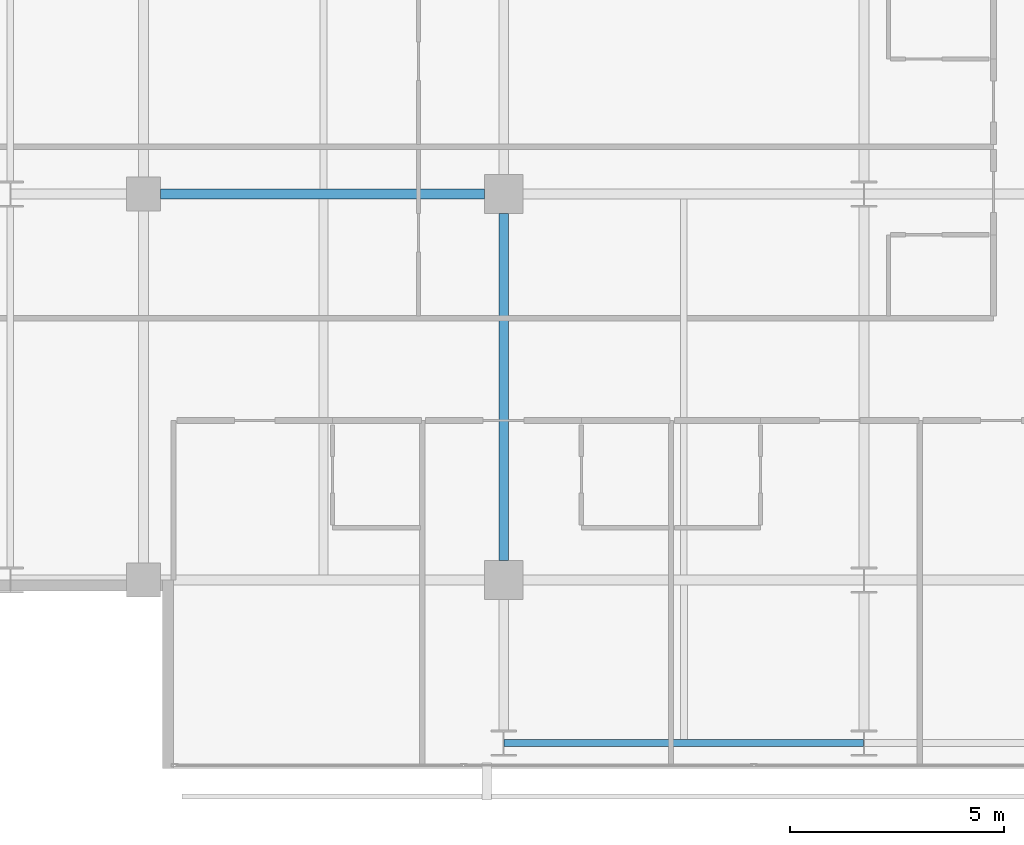
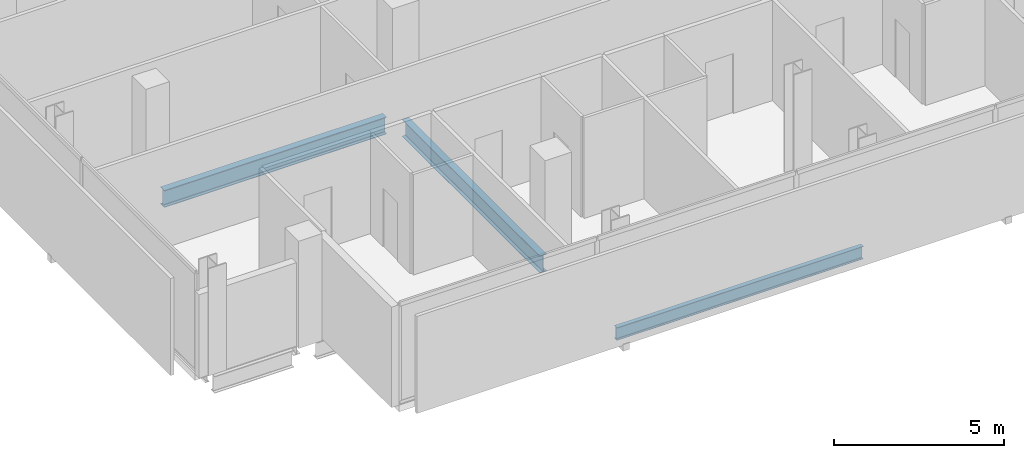
# One storey, part 5 of 34: 3 beams.
"""IFC4 building model written with IfcOpenShell, lengths in metres."""

from ifc_helpers import new_model, si_unit, direction, frame, origin, origin_2d, place, context, subcontext, project, spatial, i_section, extrude, material, material_profile, profile_set, type_object, element, save


model = new_model("IFC4")

# Units and contexts
model_context = context("Model", 3, precision=1e-05, world=origin(), true_north=direction((0.0, 1.0)))
body_context = subcontext(model_context, "Body", "Model", "MODEL_VIEW")
ifc_project = project(units=[si_unit("LENGTHUNIT", "METRE"), si_unit("AREAUNIT", "SQUARE_METRE"), si_unit("VOLUMEUNIT", "CUBIC_METRE"), si_unit("PLANEANGLEUNIT", "RADIAN"), si_unit("MASSUNIT", "GRAM", prefix="KILO")], contexts=[model_context])

# Site, building, storey
site_placement = place(None, origin())
site = spatial("IfcSite", under=ifc_project, at=site_placement, CompositionType="ELEMENT")
building_placement = place(site_placement, origin())
building = spatial("IfcBuilding", under=site, at=building_placement, Name="Maruvema Waterfront Hotel and Observation Tower", CompositionType="ELEMENT")
storey_placement = place(building_placement, frame((0.0, 0.0, 127.39990234375)))
storey = spatial("IfcBuildingStorey", under=building, at=storey_placement, Name="L30", CompositionType="ELEMENT", Elevation=127.39990234375)

# Beams
ifc_material_1 = material(Name="Steel ASTM A572 Grade 50", Category="steel")
ifc_material_profile_1 = material_profile(ifc_material_1, i_section(OverallWidth=0.153076171875, OverallDepth=0.455078125, WebThickness=0.008056640625, FlangeThickness=0.01318359375, FilletRadius=0.014892578125, at=origin_2d()), Name="W460x60.0")
ifc_profile_set_1 = profile_set([ifc_material_profile_1], Name="Steel ASTM A572 Grade 50")
beam_type_1 = type_object("IfcBeamType", Name="Perimeter Spandrel Beam W460x60.0", PredefinedType="SPANDREL", material=ifc_profile_set_1)
beam_1_placement = place(storey_placement, frame((25.21240234375, 5.199951171875, -0.46728515625), z_axis=(1.0, 0.0, 0.0), x_axis=(0.0, 1.0, 0.0)))
element("IfcBeam", 1, at=beam_1_placement, inside=storey, type_object=beam_type_1, Name="L30 Floor Girder EW-01", PredefinedType="SPANDREL", context=body_context, shape_type="SweptSolid", body=[
    extrude(i_section(OverallWidth=0.153076171875, OverallDepth=0.455078125, WebThickness=0.008056640625, FlangeThickness=0.01318359375, FilletRadius=0.014892578125, at=origin_2d()), origin(), (0.0, 0.0, 1.0), 8.375),
])
ifc_material_2 = material(Name="Steel ASTM A572 Grade 50", Category="steel")
ifc_material_profile_2 = material_profile(ifc_material_2, i_section(OverallWidth=0.22900390625, OverallDepth=0.612060546875, WebThickness=0.011962890625, FlangeThickness=0.01953125, FilletRadius=0.01806640625, at=origin_2d()), Name="W610x125.0")
ifc_profile_set_2 = profile_set([ifc_material_profile_2], Name="Steel ASTM A572 Grade 50")
beam_type_2 = type_object("IfcBeamType", Name="Primary Floor Girder W610x125.0", PredefinedType="BEAM", material=ifc_profile_set_2)
beam_2_placement = place(storey_placement, frame((17.199951171875, 18.0, -0.5458984375), z_axis=(1.0, 0.0, 0.0), x_axis=(0.0, 1.0, 0.0)))
element("IfcBeam", 2, at=beam_2_placement, inside=storey, type_object=beam_type_2, Name="L30 Floor Girder EW-12", PredefinedType="BEAM", context=body_context, shape_type="SweptSolid", body=[
    extrude(i_section(OverallWidth=0.22900390625, OverallDepth=0.612060546875, WebThickness=0.011962890625, FlangeThickness=0.01953125, FilletRadius=0.01806640625, at=origin_2d()), origin(), (0.0, 0.0, 1.0), 7.550048828125),
])
beam_3_placement = place(storey_placement, frame((25.199951171875, 9.449951171875, -0.5458984375), z_axis=(0.0, 1.0, 0.0), x_axis=(-1.0, 0.0, 0.0)))
element("IfcBeam", 3, at=beam_3_placement, inside=storey, type_object=beam_type_2, Name="L30 Floor Girder NS-10", PredefinedType="BEAM", context=body_context, shape_type="SweptSolid", body=[
    extrude(i_section(OverallWidth=0.22900390625, OverallDepth=0.612060546875, WebThickness=0.011962890625, FlangeThickness=0.01953125, FilletRadius=0.01806640625, at=origin_2d()), origin(), (0.0, 0.0, 1.0), 8.10009765625),
])

save(model, "model.ifc")
